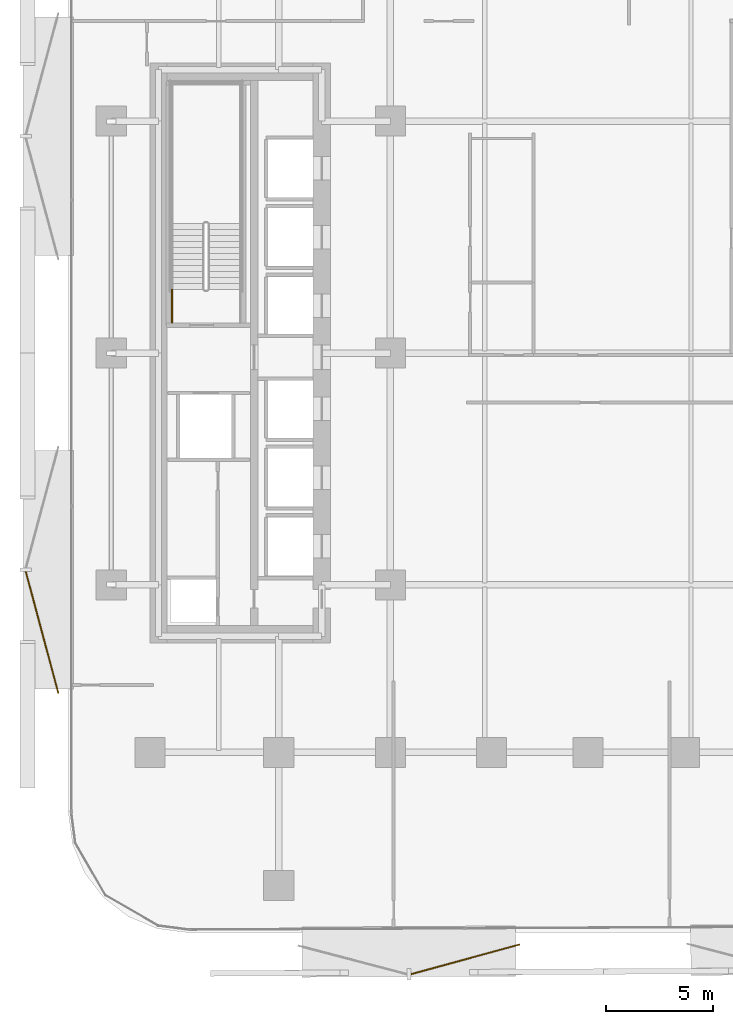
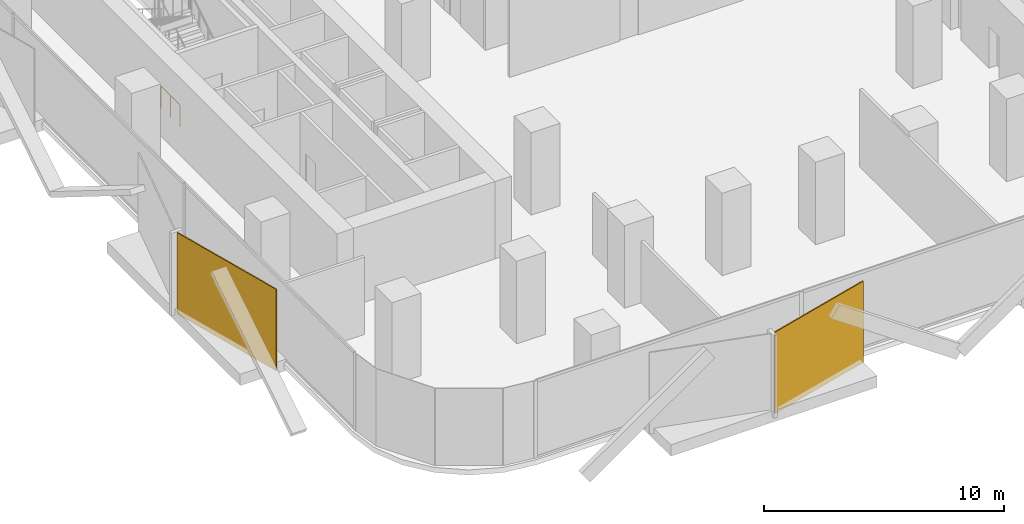
# One storey, part 11 of 15: 2 coverings, 1 railing.
"""IFC4 building model written with IfcOpenShell, lengths in metres."""

from ifc_helpers import new_model, si_unit, direction, frame, origin, origin_2d, place, context, subcontext, project, spatial, rectangle, circle, extrude, material, layer, layer_set, type_object, element, save


model = new_model("IFC4")

# Units and contexts
model_context = context("Model", 3, precision=1e-05, world=origin(), true_north=direction((0.0, 1.0)))
body_context = subcontext(model_context, "Body", "Model", "MODEL_VIEW")
ifc_project = project(units=[si_unit("LENGTHUNIT", "METRE"), si_unit("AREAUNIT", "SQUARE_METRE"), si_unit("VOLUMEUNIT", "CUBIC_METRE"), si_unit("PLANEANGLEUNIT", "RADIAN"), si_unit("MASSUNIT", "GRAM", prefix="KILO")], contexts=[model_context])

# Site, building, storey
site_placement = place(None, origin())
site = spatial("IfcSite", under=ifc_project, at=site_placement, CompositionType="ELEMENT")
building_placement = place(site_placement, origin())
building = spatial("IfcBuilding", under=site, at=building_placement, Name="Khairoan Windgate Tower", CompositionType="ELEMENT")
storey_placement = place(building_placement, frame((0.0, 0.0, 51.199951171875)))
storey = spatial("IfcBuildingStorey", under=building, at=storey_placement, Name="L12", CompositionType="ELEMENT", Elevation=51.199951171875)

# Coverings
ifc_material_1 = material(Name="Anodised Bronze Aluminium 6063-T6", Category="aluminium")
ifc_layer = layer(ifc_material_1, 0.054931640625, Name="Anodised Bronze Aluminium 6063-T6")
ifc_layer_set = layer_set([ifc_layer], Name="Anodised Bronze Aluminium 6063-T6")
covering_type = type_object("IfcCoveringType", Name="Perforated Bronze-Ceramic Folded Solar Screen Cladding BSC-1", PredefinedType="CLADDING", material=ifc_layer_set)
covering_1_placement = place(storey_placement, frame((-5.70751953125, -28.238037109375, -0.10009765625), z_axis=(0.0, 0.0, 1.0), x_axis=(-0.964649468762, -0.263536339841, 0.0)))
element("IfcCovering", 1, at=covering_1_placement, inside=storey, type_object=covering_type, Name="L12 Folded Bronze Solar Screen Facet 50L", PredefinedType="CLADDING", context=body_context, shape_type="SweptSolid", body=[
    extrude(rectangle(XDim=5.25, YDim=0.054931640625, at=origin_2d()), origin(), (0.0, 0.0, 1.0), 4.139892578125),
])
covering_2_placement = place(storey_placement, frame((-25.42236328125, -13.01318359375, -0.10009765625), z_axis=(0.0, 0.0, 1.0), x_axis=(-0.258819045103, 0.965925826289, 0.0)))
element("IfcCovering", 2, at=covering_2_placement, inside=storey, type_object=covering_type, Name="L12 Folded Bronze Solar Screen Facet 51L", PredefinedType="CLADDING", context=body_context, shape_type="SweptSolid", body=[
    extrude(rectangle(XDim=5.85498046875, YDim=0.054931640625, at=origin_2d()), origin(), (0.0, 0.0, 1.0), 4.139892578125),
])

# Railing
ifc_material_2 = material(Name="Steel S355", Category="steel")
railing_type = type_object("IfcRailingType", Name="Stairwell Safety Guardrail SGR-1150", PredefinedType="GUARDRAIL", material=ifc_material_2)
railing_placement = place(storey_placement, frame((-19.3701171875, 1.39990234375, 0.0)))
element("IfcRailing", 3, at=railing_placement, inside=storey, type_object=railing_type, Name="L12 ST2 stair guard 9", PredefinedType="GUARDRAIL", context=body_context, shape_type="SweptSolid", body=[
    extrude(circle(Radius=0.02392578125, at=origin_2d()), frame((0.0, 0.0, 1.1259765625), z_axis=(0.0, 1.0, 0.0), x_axis=(-1.0, 0.0, 0.0)), (0.0, 0.0, 1.0), 1.56005859375),
    extrude(circle(Radius=0.02099609375, at=origin_2d()), origin(), (0.0, 0.0, 1.0), 1.101806640625),
    extrude(circle(Radius=0.02099609375, at=origin_2d()), frame((0.0, 0.780029296875, 0.0)), (0.0, 0.0, 1.0), 1.101806640625),
    extrude(circle(Radius=0.02099609375, at=origin_2d()), frame((0.0, 1.56005859375, 0.0)), (0.0, 0.0, 1.0), 1.101806640625),
])

save(model, "model.ifc")
